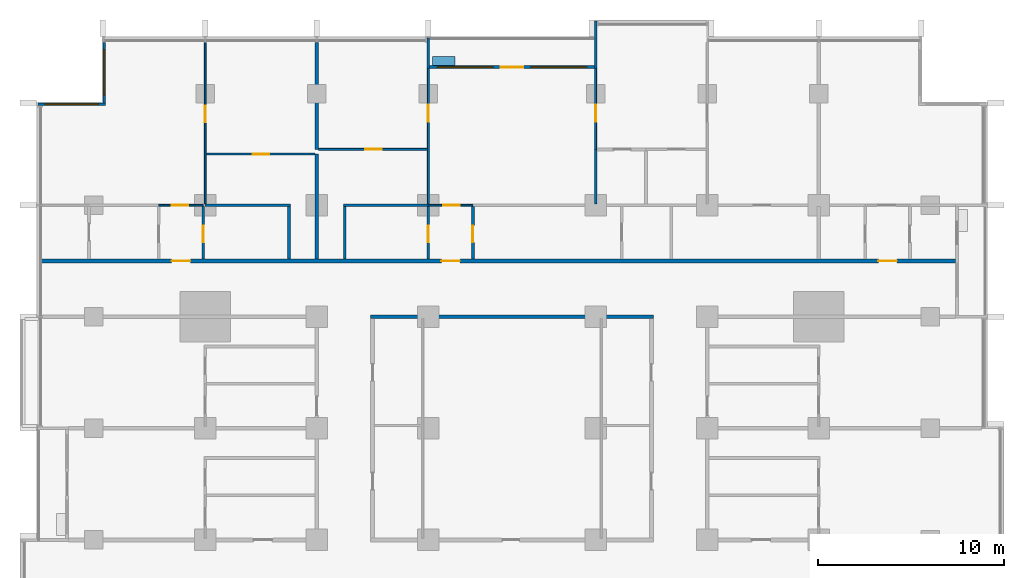
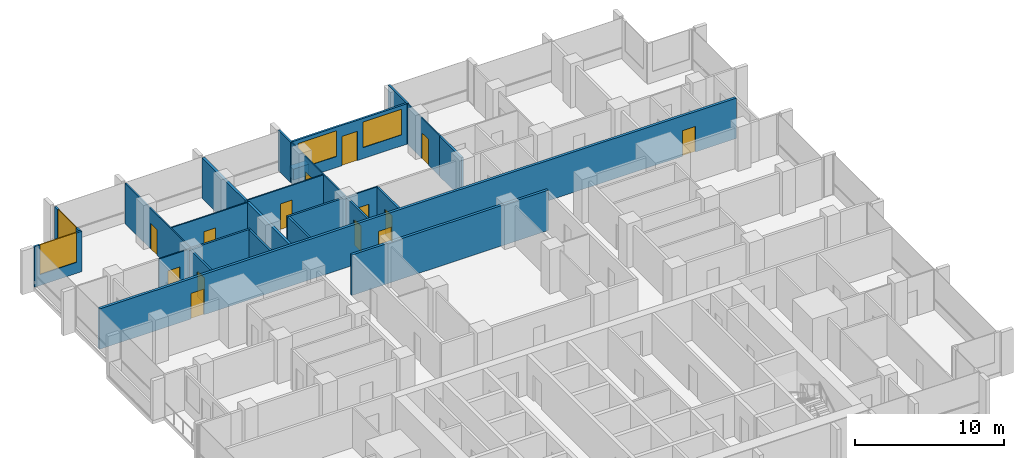
# One storey, part 11 of 17: 25 walls, 14 doors, 4 windows, 18 openings.
"""IFC4 building model written with IfcOpenShell, lengths in metres."""

import ifcopenshell
import ifcopenshell.guid

model = None  # the IFC model being written
_history = None  # IfcOwnerHistory: only IFC2X3 demands one
_inside = {}  # id of a spatial element -> (the spatial element, [elements in it])
_under = {}  # id of a project, library or spatial element -> (it, [spatial elements below it])
_declared = {}  # id of a project -> (the project, [libraries it declares])
_typed = {}  # id of a type object -> (the type object, [elements of that type])
_made_of = {}  # id of a material, layer set ... -> (it, [elements and type objects made of it])


def new_model(schema):
    """Start an empty IFC model of exactly this schema.

    Asked for "IFC4X3", IfcOpenShell would pick the latest addendum, in which some entities
    have other attributes; the version numbers below select the first issue.
    IFC2X3 requires an IfcOwnerHistory on every rooted entity: one is made here for all.
    """
    global model, _history
    if schema == "IFC4X3":
        model = ifcopenshell.file(schema_version=(4, 3, 0, 0))
    else:
        model = ifcopenshell.file(schema=schema)
    _inside.clear()
    _under.clear()
    _declared.clear()
    _typed.clear()
    _made_of.clear()
    _history = None
    if model.schema == "IFC2X3":
        org = make("IfcOrganization", Name="unknown")
        user = make(
            "IfcPersonAndOrganization",
            ThePerson=make("IfcPerson", FamilyName="unknown"),
            TheOrganization=org,
        )
        app = make(
            "IfcApplication",
            ApplicationDeveloper=org,
            Version="unknown",
            ApplicationFullName="unknown",
            ApplicationIdentifier="unknown",
        )
        _history = make(
            "IfcOwnerHistory",
            OwningUser=user,
            OwningApplication=app,
            ChangeAction="ADDED",
            CreationDate=0,
        )
    return model


def make(cls, **values):
    """One entity of the class cls with the attributes given. An attribute that is None is left unset."""
    return model.create_entity(
        cls, **{name: value for name, value in values.items() if value is not None}
    )


def rooted(cls, **values):
    """An entity with a GlobalId (a new one), such as an element, a storey or a relation."""
    return make(cls, GlobalId=ifcopenshell.guid.new(), OwnerHistory=_history, **values)


def si_unit(unit_type, name, prefix=None):
    """IfcSIUnit, for example si_unit("LENGTHUNIT", "METRE", prefix="MILLI")."""
    return make("IfcSIUnit", UnitType=unit_type, Prefix=prefix, Name=name)


def assignment(units):
    """IfcUnitAssignment: the units of a project."""
    return None if units is None else make("IfcUnitAssignment", Units=units)


def point(xyz):
    """IfcCartesianPoint."""
    return None if xyz is None else make("IfcCartesianPoint", Coordinates=xyz)


def direction(xyz):
    """IfcDirection."""
    return None if xyz is None else make("IfcDirection", DirectionRatios=xyz)


def frame(location, z_axis=None, x_axis=None):
    """IfcAxis2Placement3D, a coordinate frame: its origin and axes. An axis left out is left unset."""
    return make(
        "IfcAxis2Placement3D",
        Location=point(location),
        Axis=direction(z_axis),
        RefDirection=direction(x_axis),
    )


def frame_2d(location, x_axis=None):
    """IfcAxis2Placement2D, a coordinate frame in the plane: its origin and x axis."""
    return make(
        "IfcAxis2Placement2D", Location=point(location), RefDirection=direction(x_axis)
    )


def origin():
    """The frame at (0, 0, 0) with its axes left unset."""
    return frame((0.0, 0.0, 0.0))


def place(relative_to, where):
    """IfcLocalPlacement: puts the frame where relative to a parent placement (None: the world)."""
    return make(
        "IfcLocalPlacement", PlacementRelTo=relative_to, RelativePlacement=where
    )


def context(
    kind, dimensions, precision=None, world=None, true_north=None, identifier=None
):
    """IfcGeometricRepresentationContext, for example the 3D "Model" context."""
    return make(
        "IfcGeometricRepresentationContext",
        ContextIdentifier=identifier,
        ContextType=kind,
        CoordinateSpaceDimension=dimensions,
        Precision=precision,
        WorldCoordinateSystem=world,
        TrueNorth=true_north,
    )


def subcontext(parent, identifier, kind, view, scale=None):
    """IfcGeometricRepresentationSubContext, for example "Body" below "Model"."""
    return make(
        "IfcGeometricRepresentationSubContext",
        ContextIdentifier=identifier,
        ContextType=kind,
        ParentContext=parent,
        TargetScale=scale,
        TargetView=view,
    )


def project(units=None, contexts=None):
    """IfcProject with its units and contexts."""
    return rooted(
        "IfcProject",
        Name="project",
        RepresentationContexts=contexts,
        UnitsInContext=assignment(units),
    )


def spatial(cls, under=None, at=None, **own):
    """A site, building, storey or space (cls), placed at a placement, below another one or the project."""
    s = rooted(cls, ObjectPlacement=at, **own)
    if under is not None:
        _under.setdefault(under.id(), (under, []))[1].append(s)
    return s


def profile(cls, at=None, kind="AREA", **sizes):
    """A parametric profile (cls). Its sizes go by their IFC names, for example OverallWidth=200.0."""
    return make(cls, ProfileType=kind, Position=at, **sizes)


def rectangle(**sizes):
    """IfcRectangleProfileDef."""
    return profile("IfcRectangleProfileDef", **sizes)


def extrude(swept, where, along, depth):
    """IfcExtrudedAreaSolid: the profile swept, set in the frame where, extruded along a direction by depth."""
    return make(
        "IfcExtrudedAreaSolid",
        SweptArea=swept,
        Position=where,
        ExtrudedDirection=direction(along),
        Depth=depth,
    )


def shape(context_of_items, identifier, shape_type, items):
    """IfcShapeRepresentation: the items that make up one representation, for example the "Body"."""
    return make(
        "IfcShapeRepresentation",
        ContextOfItems=context_of_items,
        RepresentationIdentifier=identifier,
        RepresentationType=shape_type,
        Items=items,
    )


def material(Name=None, Category=None):
    """IfcMaterial."""
    return make("IfcMaterial", Name=Name, Category=Category)


def layer(
    of_material, thickness, ventilated=None, Name=None, Category=None, Priority=None
):
    """IfcMaterialLayer: one layer of a wall or slab, of a material (None: an air gap)."""
    return make(
        "IfcMaterialLayer",
        Material=of_material,
        LayerThickness=thickness,
        IsVentilated=ventilated,
        Name=Name,
        Category=Category,
        Priority=Priority,
    )


def layer_set(layers, Name=None):
    """IfcMaterialLayerSet."""
    return make("IfcMaterialLayerSet", MaterialLayers=layers, LayerSetName=Name)


def made_of(thing, what):
    """Note that an element or type object is made of a material, layer set ...; save() writes the relation."""
    if what is not None:
        _made_of.setdefault(what.id(), (what, []))[1].append(thing)
    return thing


def type_object(cls, material=None, **own):
    """A type object (cls), such as IfcWallType, which elements share."""
    return made_of(rooted(cls, **own), material)


def element(
    cls,
    number,
    at=None,
    inside=None,
    cuts=None,
    type_object=None,
    material=None,
    context=None,
    identifier="Body",
    shape_type=None,
    held_by="IfcProductDefinitionShape",
    body=None,
    shapes=None,
    **own,
):
    """One element of the class cls, such as IfcWall. Its Tag is "e" and its number.

    at: its placement. inside: the storey or other place that contains it. cuts: it is an
    opening in that element (IfcRelVoidsElement). A single representation is given by context,
    identifier, shape_type and body (its items); several are given by shapes. held_by: the class
    of the entity that holds the representations. save() writes the other relations.
    """
    e = rooted(cls, Tag="e%d" % number, ObjectPlacement=at, **own)
    if body is not None:
        shapes = [shape(context, identifier, shape_type, body)]
    if shapes is not None:
        e.Representation = make(held_by, Representations=shapes)
    if inside is not None:
        _inside.setdefault(inside.id(), (inside, []))[1].append(e)
    if cuts is not None:
        rooted(
            "IfcRelVoidsElement", RelatingBuildingElement=cuts, RelatedOpeningElement=e
        )
    if type_object is not None:
        _typed.setdefault(type_object.id(), (type_object, []))[1].append(e)
    return made_of(e, material)


def fill(opening, filler):
    """IfcRelFillsElement: the door or window that sits in an opening."""
    return rooted(
        "IfcRelFillsElement",
        RelatingOpeningElement=opening,
        RelatedBuildingElement=filler,
    )


def aggregate(whole, parts):
    """IfcRelAggregates: a whole, such as a stair, and the parts it consists of."""
    return rooted("IfcRelAggregates", RelatingObject=whole, RelatedObjects=parts)


def save(model, path):
    """Write the relations noted so far, then the file.

    IfcRelAggregates (storeys below a building ...), IfcRelContainedInSpatialStructure (elements
    in a storey), IfcRelDefinesByType, IfcRelAssociatesMaterial and IfcRelDeclares: one each for
    every whole, place, type object, material and project.
    """
    for whole, parts in _under.values():
        aggregate(whole, parts)
    for where, things in _inside.values():
        rooted(
            "IfcRelContainedInSpatialStructure",
            RelatedElements=things,
            RelatingStructure=where,
        )
    for kind, things in _typed.values():
        rooted("IfcRelDefinesByType", RelatedObjects=things, RelatingType=kind)
    for what, things in _made_of.values():
        rooted("IfcRelAssociatesMaterial", RelatedObjects=things, RelatingMaterial=what)
    for by, libraries in _declared.values():
        rooted("IfcRelDeclares", RelatingContext=by, RelatedDefinitions=libraries)
    model.write(path)


model = new_model("IFC4")

# Units and contexts
model_context = context("Model", 3, precision=1e-05, world=origin(), true_north=direction((0.0, 1.0)))
body_context = subcontext(model_context, "Body", "Model", "MODEL_VIEW")
ifc_project = project(units=[si_unit("LENGTHUNIT", "METRE"), si_unit("AREAUNIT", "SQUARE_METRE"), si_unit("VOLUMEUNIT", "CUBIC_METRE"), si_unit("PLANEANGLEUNIT", "RADIAN"), si_unit("MASSUNIT", "GRAM", prefix="KILO")], contexts=[model_context])

# Site, building, storey
site_placement = place(None, origin())
site = spatial("IfcSite", under=ifc_project, at=site_placement, CompositionType="ELEMENT")
building_placement = place(site_placement, origin())
building = spatial("IfcBuilding", under=site, at=building_placement, Name="Finial Court Residences", CompositionType="ELEMENT")
storey_placement = place(building_placement, frame((0.0, 0.0, 99.10009765625)))
storey = spatial("IfcBuildingStorey", under=building, at=storey_placement, Name="L24", CompositionType="ELEMENT", Elevation=99.10009765625)

# Walls
ifc_material_1 = material(Name="Gypsum board")
ifc_layer_1 = layer(ifc_material_1, 0.02490234375)
ifc_material_2 = material(Name="Acoustic mineral wool in double frame")
ifc_layer_2 = layer(ifc_material_2, 0.14990234375)
ifc_layer_3 = layer(ifc_material_1, 0.02490234375)
ifc_layer_set_1 = layer_set([ifc_layer_1, ifc_layer_2, ifc_layer_3], Name="Acoustic party wall 200, 1 hour")
wall_type_1 = type_object("IfcWallType", Name="Acoustic party wall 200, 1 hour", PredefinedType="PARTITIONING", material=ifc_layer_set_1)
wall_1_placement = place(storey_placement, frame((-10.5, 10.60009765625, 0.0), z_axis=(0.0, 0.0, 1.0), x_axis=(0.0, 1.0, 0.0)))
element("IfcWall", 1, at=wall_1_placement, inside=storey, type_object=wall_type_1, Name="Partition L24-054", PredefinedType="PARTITIONING", context=body_context, shape_type="SweptSolid", body=[
    extrude(rectangle(XDim=5.64990234375, YDim=0.199951171875, at=frame_2d((2.824951171875, 0.0))), origin(), (0.0, 0.0, 1.0), 3.2998046875),
])
wall_2_placement = place(storey_placement, frame((-10.5, 16.5, 0.0), z_axis=(0.0, 0.0, 1.0), x_axis=(0.0, 1.0, 0.0)))
element("IfcWall", 2, at=wall_2_placement, inside=storey, type_object=wall_type_1, Name="Partition L24-055", PredefinedType="PARTITIONING", context=body_context, shape_type="SweptSolid", body=[
    extrude(rectangle(XDim=5.75, YDim=0.199951171875, at=frame_2d((2.875, 0.0))), origin(), (0.0, 0.0, 1.0), 3.2998046875),
])
ifc_layer_4 = layer(ifc_material_1, 0.02490234375)
ifc_layer_5 = layer(ifc_material_2, 0.14990234375)
ifc_layer_6 = layer(ifc_material_1, 0.02490234375)
ifc_layer_set_2 = layer_set([ifc_layer_4, ifc_layer_5, ifc_layer_6], Name="Corridor wall 200, 1 hour")
wall_type_2 = type_object("IfcWallType", Name="Corridor wall 200, 1 hour", PredefinedType="PARTITIONING", material=ifc_layer_set_2)
wall_3_placement = place(storey_placement, frame((-7.60009765625, 7.5, 0.0), z_axis=(0.0, 0.0, 1.0), x_axis=(1.0, 0.0, 0.0)))
element("IfcWall", 3, at=wall_3_placement, inside=storey, type_object=wall_type_2, Name="Partition L24-025", PredefinedType="PARTITIONING", context=body_context, shape_type="SweptSolid", body=[
    extrude(rectangle(XDim=15.2001953125, YDim=0.199951171875, at=frame_2d((7.60009765625, 0.0))), origin(), (0.0, 0.0, 1.0), 3.2998046875),
])

# Wall, openings, doors
wall_4_placement = place(storey_placement, frame((-25.35009765625, 10.5, 0.0), z_axis=(0.0, 0.0, 1.0), x_axis=(1.0, 0.0, 0.0)))
wall_4 = element("IfcWall", 4, at=wall_4_placement, inside=storey, type_object=wall_type_2, Name="Partition L24-027", PredefinedType="PARTITIONING", context=body_context, shape_type="SweptSolid", body=[
    extrude(rectangle(XDim=49.2001953125, YDim=0.199951171875, at=frame_2d((24.60009765625, 0.0))), origin(), (0.0, 0.0, 1.0), 3.2998046875),
])
opening_1_placement = place(wall_4_placement, frame((7.050048828125, 0.0, 0.0)))
opening_1 = element("IfcOpeningElement", 5, at=opening_1_placement, cuts=wall_4, Name="Opening L24-D010", PredefinedType="OPENING", context=body_context, shape_type="SweptSolid", body=[
    extrude(rectangle(XDim=1.0, YDim=2.10009765625, at=frame_2d((0.5, 1.050048828125))), frame((0.0, 0.10986328125, 0.0), z_axis=(0.0, -1.0, 0.0), x_axis=(1.0, 0.0, 0.0)), (0.0, 0.0, 1.0), 0.219970703125),
])
opening_2_placement = place(wall_4_placement, frame((21.550048828125, 0.0, 0.0)))
opening_2 = element("IfcOpeningElement", 6, at=opening_2_placement, cuts=wall_4, Name="Opening L24-D011", PredefinedType="OPENING", context=body_context, shape_type="SweptSolid", body=[
    extrude(rectangle(XDim=1.0, YDim=2.10009765625, at=frame_2d((0.5, 1.050048828125))), frame((0.0, 0.10986328125, 0.0), z_axis=(0.0, -1.0, 0.0), x_axis=(1.0, 0.0, 0.0)), (0.0, 0.0, 1.0), 0.219970703125),
])
opening_3_placement = place(wall_4_placement, frame((45.050048828125, 0.0, 0.0)))
opening_3 = element("IfcOpeningElement", 7, at=opening_3_placement, cuts=wall_4, Name="Opening L24-D012", PredefinedType="OPENING", context=body_context, shape_type="SweptSolid", body=[
    extrude(rectangle(XDim=1.0, YDim=2.10009765625, at=frame_2d((0.5, 1.050048828125))), frame((0.0, 0.10986328125, 0.0), z_axis=(0.0, -1.0, 0.0), x_axis=(1.0, 0.0, 0.0)), (0.0, 0.0, 1.0), 0.219970703125),
])
ifc_material_3 = material(Name="Timber door leaf in hollow metal frame", Category="wood")
door_type_1 = type_object("IfcDoorType", Name="Fire door set 1000 x 2100, 30 minutes", OperationType="SINGLE_SWING_LEFT", PredefinedType="DOOR", material=ifc_material_3)
door_1_placement = place(opening_1_placement, origin())
door_1 = element("IfcDoor", 8, at=door_1_placement, inside=storey, type_object=door_type_1, Name="Door L24-D010", OperationType="SINGLE_SWING_RIGHT", OverallHeight=2.10009765625, OverallWidth=1.0, PredefinedType="DOOR", context=body_context, shape_type="SweptSolid", body=[
    extrude(rectangle(XDim=1.0, YDim=2.10009765625, at=frame_2d((0.5, 1.050048828125))), frame((0.0, 0.02490234375, 0.0), z_axis=(0.0, -1.0, 0.0), x_axis=(1.0, 0.0, 0.0)), (0.0, 0.0, 1.0), 0.050048828125),
])
fill(opening_1, door_1)
door_2_placement = place(opening_2_placement, origin())
door_2 = element("IfcDoor", 9, at=door_2_placement, inside=storey, type_object=door_type_1, Name="Door L24-D011", OperationType="SINGLE_SWING_RIGHT", OverallHeight=2.10009765625, OverallWidth=1.0, PredefinedType="DOOR", context=body_context, shape_type="SweptSolid", body=[
    extrude(rectangle(XDim=1.0, YDim=2.10009765625, at=frame_2d((0.5, 1.050048828125))), frame((0.0, 0.02490234375, 0.0), z_axis=(0.0, -1.0, 0.0), x_axis=(1.0, 0.0, 0.0)), (0.0, 0.0, 1.0), 0.050048828125),
])
fill(opening_2, door_2)
door_3_placement = place(opening_3_placement, origin())
door_3 = element("IfcDoor", 10, at=door_3_placement, inside=storey, type_object=door_type_1, Name="Door L24-D012", OperationType="SINGLE_SWING_LEFT", OverallHeight=2.10009765625, OverallWidth=1.0, PredefinedType="DOOR", context=body_context, shape_type="SweptSolid", body=[
    extrude(rectangle(XDim=1.0, YDim=2.10009765625, at=frame_2d((0.5, 1.050048828125))), frame((0.0, 0.02490234375, 0.0), z_axis=(0.0, -1.0, 0.0), x_axis=(1.0, 0.0, 0.0)), (0.0, 0.0, 1.0), 0.050048828125),
])
fill(opening_3, door_3)

# Wall, opening, door
ifc_layer_7 = layer(ifc_material_1, 0.012451171875)
ifc_material_4 = material(Name="Mineral wool in light-gauge frame")
ifc_layer_8 = layer(ifc_material_4, 0.074951171875)
ifc_layer_9 = layer(ifc_material_1, 0.012451171875)
ifc_layer_set_3 = layer_set([ifc_layer_7, ifc_layer_8, ifc_layer_9], Name="Gypsum board partition 100")
wall_type_3 = type_object("IfcWallType", Name="Gypsum board partition 100", PredefinedType="PARTITIONING", material=ifc_layer_set_3)
wall_5_placement = place(storey_placement, frame((-19.0, 13.5, 0.0), z_axis=(0.0, 0.0, 1.0), x_axis=(1.0, 0.0, 0.0)))
wall_5 = element("IfcWall", 11, at=wall_5_placement, inside=storey, type_object=wall_type_3, Name="Partition L24-029", PredefinedType="PARTITIONING", context=body_context, shape_type="SweptSolid", body=[
    extrude(rectangle(XDim=2.39990234375, YDim=0.10009765625, at=frame_2d((1.199951171875, 0.0))), origin(), (0.0, 0.0, 1.0), 3.2998046875),
])
opening_4_placement = place(wall_5_placement, frame((0.699951171875, 0.0, 0.0)))
opening_4 = element("IfcOpeningElement", 12, at=opening_4_placement, cuts=wall_5, Name="Opening L24-D013", PredefinedType="OPENING", context=body_context, shape_type="SweptSolid", body=[
    extrude(rectangle(XDim=0.89990234375, YDim=2.10009765625, at=frame_2d((0.449951171875, 1.050048828125))), frame((0.0, 0.06005859375, 0.0), z_axis=(0.0, -1.0, 0.0), x_axis=(1.0, 0.0, 0.0)), (0.0, 0.0, 1.0), 0.1201171875),
])
ifc_material_5 = material(Name="Timber door leaf in timber frame", Category="wood")
door_type_2 = type_object("IfcDoorType", Name="Door set 900 x 2100", OperationType="SINGLE_SWING_LEFT", PredefinedType="DOOR", material=ifc_material_5)
door_4_placement = place(opening_4_placement, origin())
door_4 = element("IfcDoor", 13, at=door_4_placement, inside=storey, type_object=door_type_2, Name="Door L24-D013", OperationType="SINGLE_SWING_RIGHT", OverallHeight=2.10009765625, OverallWidth=0.89990234375, PredefinedType="DOOR", context=body_context, shape_type="SweptSolid", body=[
    extrude(rectangle(XDim=0.89990234375, YDim=2.10009765625, at=frame_2d((0.449951171875, 1.050048828125))), frame((0.0, 0.02490234375, 0.0), z_axis=(0.0, -1.0, 0.0), x_axis=(1.0, 0.0, 0.0)), (0.0, 0.0, 1.0), 0.050048828125),
])
fill(opening_4, door_4)

wall_6_placement = place(storey_placement, frame((-4.5, 13.5, 0.0), z_axis=(0.0, 0.0, 1.0), x_axis=(1.0, 0.0, 0.0)))
wall_6 = element("IfcWall", 14, at=wall_6_placement, inside=storey, type_object=wall_type_3, Name="Partition L24-030", PredefinedType="PARTITIONING", context=body_context, shape_type="SweptSolid", body=[
    extrude(rectangle(XDim=2.39990234375, YDim=0.10009765625, at=frame_2d((1.199951171875, 0.0))), origin(), (0.0, 0.0, 1.0), 3.2998046875),
])
opening_5_placement = place(wall_6_placement, frame((0.800048828125, 0.0, 0.0)))
opening_5 = element("IfcOpeningElement", 15, at=opening_5_placement, cuts=wall_6, Name="Opening L24-D014", PredefinedType="OPENING", context=body_context, shape_type="SweptSolid", body=[
    extrude(rectangle(XDim=0.89990234375, YDim=2.10009765625, at=frame_2d((0.449951171875, 1.050048828125))), frame((0.0, 0.06005859375, 0.0), z_axis=(0.0, -1.0, 0.0), x_axis=(1.0, 0.0, 0.0)), (0.0, 0.0, 1.0), 0.1201171875),
])
door_5_placement = place(opening_5_placement, origin())
door_5 = element("IfcDoor", 16, at=door_5_placement, inside=storey, type_object=door_type_2, Name="Door L24-D014", OperationType="SINGLE_SWING_LEFT", OverallHeight=2.10009765625, OverallWidth=0.89990234375, PredefinedType="DOOR", context=body_context, shape_type="SweptSolid", body=[
    extrude(rectangle(XDim=0.89990234375, YDim=2.10009765625, at=frame_2d((0.449951171875, 1.050048828125))), frame((0.0, 0.02490234375, 0.0), z_axis=(0.0, -1.0, 0.0), x_axis=(1.0, 0.0, 0.0)), (0.0, 0.0, 1.0), 0.050048828125),
])
fill(opening_5, door_5)

wall_7_placement = place(storey_placement, frame((-16.449951171875, 16.25, 0.0), z_axis=(0.0, 0.0, 1.0), x_axis=(1.0, 0.0, 0.0)))
wall_7 = element("IfcWall", 17, at=wall_7_placement, inside=storey, type_object=wall_type_3, Name="Partition L24-037", PredefinedType="PARTITIONING", context=body_context, shape_type="SweptSolid", body=[
    extrude(rectangle(XDim=5.849853515625, YDim=0.10009765625, at=frame_2d((2.9248046875, 0.0))), origin(), (0.0, 0.0, 1.0), 3.2998046875),
])
opening_6_placement = place(wall_7_placement, frame((2.5, 0.0, 0.0)))
opening_6 = element("IfcOpeningElement", 18, at=opening_6_placement, cuts=wall_7, Name="Opening L24-D017", PredefinedType="OPENING", context=body_context, shape_type="SweptSolid", body=[
    extrude(rectangle(XDim=0.89990234375, YDim=2.10009765625, at=frame_2d((0.449951171875, 1.050048828125))), frame((0.0, 0.06005859375, 0.0), z_axis=(0.0, -1.0, 0.0), x_axis=(1.0, 0.0, 0.0)), (0.0, 0.0, 1.0), 0.1201171875),
])
door_6_placement = place(opening_6_placement, origin())
door_6 = element("IfcDoor", 19, at=door_6_placement, inside=storey, type_object=door_type_2, Name="Door L24-D017", OperationType="SINGLE_SWING_RIGHT", OverallHeight=2.10009765625, OverallWidth=0.89990234375, PredefinedType="DOOR", context=body_context, shape_type="SweptSolid", body=[
    extrude(rectangle(XDim=0.89990234375, YDim=2.10009765625, at=frame_2d((0.449951171875, 1.050048828125))), frame((0.0, 0.02490234375, 0.0), z_axis=(0.0, -1.0, 0.0), x_axis=(1.0, 0.0, 0.0)), (0.0, 0.0, 1.0), 0.050048828125),
])
fill(opening_6, door_6)

wall_8_placement = place(storey_placement, frame((-10.39990234375, 16.5, 0.0), z_axis=(0.0, 0.0, 1.0), x_axis=(1.0, 0.0, 0.0)))
wall_8 = element("IfcWall", 20, at=wall_8_placement, inside=storey, type_object=wall_type_3, Name="Partition L24-038", PredefinedType="PARTITIONING", context=body_context, shape_type="SweptSolid", body=[
    extrude(rectangle(XDim=5.849853515625, YDim=0.10009765625, at=frame_2d((2.9248046875, 0.0))), origin(), (0.0, 0.0, 1.0), 3.2998046875),
])
opening_7_placement = place(wall_8_placement, frame((2.5, 0.0, 0.0)))
opening_7 = element("IfcOpeningElement", 21, at=opening_7_placement, cuts=wall_8, Name="Opening L24-D018", PredefinedType="OPENING", context=body_context, shape_type="SweptSolid", body=[
    extrude(rectangle(XDim=0.89990234375, YDim=2.10009765625, at=frame_2d((0.449951171875, 1.050048828125))), frame((0.0, 0.06005859375, 0.0), z_axis=(0.0, -1.0, 0.0), x_axis=(1.0, 0.0, 0.0)), (0.0, 0.0, 1.0), 0.1201171875),
])
door_7_placement = place(opening_7_placement, origin())
door_7 = element("IfcDoor", 22, at=door_7_placement, inside=storey, type_object=door_type_2, Name="Door L24-D018", OperationType="SINGLE_SWING_LEFT", OverallHeight=2.10009765625, OverallWidth=0.89990234375, PredefinedType="DOOR", context=body_context, shape_type="SweptSolid", body=[
    extrude(rectangle(XDim=0.89990234375, YDim=2.10009765625, at=frame_2d((0.449951171875, 1.050048828125))), frame((0.0, 0.02490234375, 0.0), z_axis=(0.0, -1.0, 0.0), x_axis=(1.0, 0.0, 0.0)), (0.0, 0.0, 1.0), 0.050048828125),
])
fill(opening_7, door_7)

wall_9_placement = place(storey_placement, frame((-16.5, 13.574951171875, 0.0), z_axis=(0.0, 0.0, 1.0), x_axis=(0.0, 1.0, 0.0)))
wall_9 = element("IfcWall", 23, at=wall_9_placement, inside=storey, type_object=wall_type_3, Name="Partition L24-047", PredefinedType="PARTITIONING", context=body_context, shape_type="SweptSolid", body=[
    extrude(rectangle(XDim=8.675048828125, YDim=0.10009765625, at=frame_2d((4.33740234375, 0.0))), origin(), (0.0, 0.0, 1.0), 3.2998046875),
])
opening_8_placement = place(wall_9_placement, frame((4.375, 0.0, 0.0)))
opening_8 = element("IfcOpeningElement", 24, at=opening_8_placement, cuts=wall_9, Name="Opening L24-D027", PredefinedType="OPENING", context=body_context, shape_type="SweptSolid", body=[
    extrude(rectangle(XDim=0.89990234375, YDim=2.10009765625, at=frame_2d((0.449951171875, 1.050048828125))), frame((0.0, 0.06005859375, 0.0), z_axis=(0.0, -1.0, 0.0), x_axis=(1.0, 0.0, 0.0)), (0.0, 0.0, 1.0), 0.1201171875),
])
door_8_placement = place(opening_8_placement, origin())
door_8 = element("IfcDoor", 25, at=door_8_placement, inside=storey, type_object=door_type_2, Name="Door L24-D027", OperationType="SINGLE_SWING_RIGHT", OverallHeight=2.10009765625, OverallWidth=0.89990234375, PredefinedType="DOOR", context=body_context, shape_type="SweptSolid", body=[
    extrude(rectangle(XDim=0.89990234375, YDim=2.10009765625, at=frame_2d((0.449951171875, 1.050048828125))), frame((0.0, 0.02490234375, 0.0), z_axis=(0.0, -1.0, 0.0), x_axis=(1.0, 0.0, 0.0)), (0.0, 0.0, 1.0), 0.050048828125),
])
fill(opening_8, door_8)

wall_10_placement = place(storey_placement, frame((-4.5, 13.574951171875, 0.0), z_axis=(0.0, 0.0, 1.0), x_axis=(0.0, 1.0, 0.0)))
wall_10 = element("IfcWall", 26, at=wall_10_placement, inside=storey, type_object=wall_type_3, Name="Partition L24-059", PredefinedType="PARTITIONING", context=body_context, shape_type="SweptSolid", body=[
    extrude(rectangle(XDim=7.275146484375, YDim=0.10009765625, at=frame_2d((3.6376953125, 0.0))), origin(), (0.0, 0.0, 1.0), 3.2998046875),
])
opening_9_placement = place(wall_10_placement, frame((4.425048828125, 0.0, 0.0)))
opening_9 = element("IfcOpeningElement", 27, at=opening_9_placement, cuts=wall_10, Name="Opening L24-D034", PredefinedType="OPENING", context=body_context, shape_type="SweptSolid", body=[
    extrude(rectangle(XDim=0.89990234375, YDim=2.10009765625, at=frame_2d((0.449951171875, 1.050048828125))), frame((0.0, 0.06005859375, 0.0), z_axis=(0.0, -1.0, 0.0), x_axis=(1.0, 0.0, 0.0)), (0.0, 0.0, 1.0), 0.1201171875),
])
door_9_placement = place(opening_9_placement, origin())
door_9 = element("IfcDoor", 28, at=door_9_placement, inside=storey, type_object=door_type_2, Name="Door L24-D034", OperationType="SINGLE_SWING_LEFT", OverallHeight=2.10009765625, OverallWidth=0.89990234375, PredefinedType="DOOR", context=body_context, shape_type="SweptSolid", body=[
    extrude(rectangle(XDim=0.89990234375, YDim=2.10009765625, at=frame_2d((0.449951171875, 1.050048828125))), frame((0.0, 0.02490234375, 0.0), z_axis=(0.0, -1.0, 0.0), x_axis=(1.0, 0.0, 0.0)), (0.0, 0.0, 1.0), 0.050048828125),
])
fill(opening_9, door_9)

wall_11_placement = place(storey_placement, frame((4.5, 16.5, 0.0), z_axis=(0.0, 0.0, 1.0), x_axis=(0.0, 1.0, 0.0)))
wall_11 = element("IfcWall", 29, at=wall_11_placement, inside=storey, type_object=wall_type_3, Name="Partition L24-062", PredefinedType="PARTITIONING", context=body_context, shape_type="SweptSolid", body=[
    extrude(rectangle(XDim=4.35009765625, YDim=0.10009765625, at=frame_2d((2.175048828125, 0.0))), origin(), (0.0, 0.0, 1.0), 3.2998046875),
])
opening_10_placement = place(wall_11_placement, frame((1.5, 0.0, 0.0)))
opening_10 = element("IfcOpeningElement", 30, at=opening_10_placement, cuts=wall_11, Name="Opening L24-D037", PredefinedType="OPENING", context=body_context, shape_type="SweptSolid", body=[
    extrude(rectangle(XDim=0.89990234375, YDim=2.10009765625, at=frame_2d((0.449951171875, 1.050048828125))), frame((0.0, 0.06005859375, 0.0), z_axis=(0.0, -1.0, 0.0), x_axis=(1.0, 0.0, 0.0)), (0.0, 0.0, 1.0), 0.1201171875),
])
door_10_placement = place(opening_10_placement, origin())
door_10 = element("IfcDoor", 31, at=door_10_placement, inside=storey, type_object=door_type_2, Name="Door L24-D037", OperationType="SINGLE_SWING_LEFT", OverallHeight=2.10009765625, OverallWidth=0.89990234375, PredefinedType="DOOR", context=body_context, shape_type="SweptSolid", body=[
    extrude(rectangle(XDim=0.89990234375, YDim=2.10009765625, at=frame_2d((0.449951171875, 1.050048828125))), frame((0.0, 0.02490234375, 0.0), z_axis=(0.0, -1.0, 0.0), x_axis=(1.0, 0.0, 0.0)), (0.0, 0.0, 1.0), 0.050048828125),
])
fill(opening_10, door_10)

# Walls
ifc_material_6 = material(Name="Moisture-resistant gypsum board")
ifc_layer_10 = layer(ifc_material_6, 0.012451171875)
ifc_layer_11 = layer(ifc_material_4, 0.125)
ifc_layer_12 = layer(ifc_material_6, 0.012451171875)
ifc_layer_set_4 = layer_set([ifc_layer_10, ifc_layer_11, ifc_layer_12], Name="Gypsum board wet-area partition 150")
wall_type_4 = type_object("IfcWallType", Name="Gypsum board wet-area partition 150", PredefinedType="PARTITIONING", material=ifc_layer_set_4)
for number, where, z_axis, x_axis, name in (
    (32, (-16.5, 13.5, 0.0), (0.0, 0.0, 1.0), (1.0, 0.0, 0.0), "Partition L24-033"),
    (33, (-9.074951171875, 13.5, 0.0), (0.0, 0.0, 1.0), (1.0, 0.0, 0.0), "Partition L24-034"),
):
    element("IfcWall", number, at=place(storey_placement, frame(where, z_axis=z_axis, x_axis=x_axis)), inside=storey, type_object=wall_type_4, Name=name, PredefinedType="PARTITIONING", context=body_context, shape_type="SweptSolid", body=[
        extrude(rectangle(XDim=4.574951171875, YDim=0.14990234375, at=frame_2d((2.28759765625, 0.0))), origin(), (0.0, 0.0, 1.0), 3.2998046875),
    ])

# Wall, opening, door
wall_12_placement = place(storey_placement, frame((-16.60009765625, 10.60009765625, 0.0), z_axis=(0.0, 0.0, 1.0), x_axis=(0.0, 1.0, 0.0)))
wall_12 = element("IfcWall", 34, at=wall_12_placement, inside=storey, type_object=wall_type_4, Name="Partition L24-044", PredefinedType="PARTITIONING", context=body_context, shape_type="SweptSolid", body=[
    extrude(rectangle(XDim=2.824951171875, YDim=0.14990234375, at=frame_2d((1.41259765625, 0.0))), origin(), (0.0, 0.0, 1.0), 3.2998046875),
])
opening_11_placement = place(wall_12_placement, frame((0.89990234375, 0.0, 0.0)))
opening_11 = element("IfcOpeningElement", 35, at=opening_11_placement, cuts=wall_12, Name="Opening L24-D024", PredefinedType="OPENING", context=body_context, shape_type="SweptSolid", body=[
    extrude(rectangle(XDim=0.89990234375, YDim=2.10009765625, at=frame_2d((0.449951171875, 1.050048828125))), frame((0.0, 0.0849609375, 0.0), z_axis=(0.0, -1.0, 0.0), x_axis=(1.0, 0.0, 0.0)), (0.0, 0.0, 1.0), 0.169921875),
])
door_11_placement = place(opening_11_placement, origin())
door_11 = element("IfcDoor", 36, at=door_11_placement, inside=storey, type_object=door_type_2, Name="Door L24-D024", OperationType="SINGLE_SWING_RIGHT", OverallHeight=2.10009765625, OverallWidth=0.89990234375, PredefinedType="DOOR", context=body_context, shape_type="SweptSolid", body=[
    extrude(rectangle(XDim=0.89990234375, YDim=2.10009765625, at=frame_2d((0.449951171875, 1.050048828125))), frame((0.0, 0.02490234375, 0.0), z_axis=(0.0, -1.0, 0.0), x_axis=(1.0, 0.0, 0.0)), (0.0, 0.0, 1.0), 0.050048828125),
])
fill(opening_11, door_11)

# Walls
for number, where, z_axis, x_axis, name in (
    (37, (-12.0, 10.60009765625, 0.0), (0.0, 0.0, 1.0), (0.0, 1.0, 0.0), "Partition L24-052"),
    (38, (-9.0, 10.60009765625, 0.0), (0.0, 0.0, 1.0), (0.0, 1.0, 0.0), "Partition L24-056"),
):
    element("IfcWall", number, at=place(storey_placement, frame(where, z_axis=z_axis, x_axis=x_axis)), inside=storey, type_object=wall_type_4, Name=name, PredefinedType="PARTITIONING", context=body_context, shape_type="SweptSolid", body=[
        extrude(rectangle(XDim=2.824951171875, YDim=0.14990234375, at=frame_2d((1.41259765625, 0.0))), origin(), (0.0, 0.0, 1.0), 3.2998046875),
    ])

# Wall, opening, door
wall_13_placement = place(storey_placement, frame((-4.5, 10.60009765625, 0.0), z_axis=(0.0, 0.0, 1.0), x_axis=(0.0, 1.0, 0.0)))
wall_13 = element("IfcWall", 39, at=wall_13_placement, inside=storey, type_object=wall_type_4, Name="Partition L24-060", PredefinedType="PARTITIONING", context=body_context, shape_type="SweptSolid", body=[
    extrude(rectangle(XDim=2.824951171875, YDim=0.14990234375, at=frame_2d((1.41259765625, 0.0))), origin(), (0.0, 0.0, 1.0), 3.2998046875),
])
opening_12_placement = place(wall_13_placement, frame((0.89990234375, 0.0, 0.0)))
opening_12 = element("IfcOpeningElement", 40, at=opening_12_placement, cuts=wall_13, Name="Opening L24-D035", PredefinedType="OPENING", context=body_context, shape_type="SweptSolid", body=[
    extrude(rectangle(XDim=0.89990234375, YDim=2.10009765625, at=frame_2d((0.449951171875, 1.050048828125))), frame((0.0, 0.0849609375, 0.0), z_axis=(0.0, -1.0, 0.0), x_axis=(1.0, 0.0, 0.0)), (0.0, 0.0, 1.0), 0.169921875),
])
door_12_placement = place(opening_12_placement, origin())
door_12 = element("IfcDoor", 41, at=door_12_placement, inside=storey, type_object=door_type_2, Name="Door L24-D035", OperationType="SINGLE_SWING_RIGHT", OverallHeight=2.10009765625, OverallWidth=0.89990234375, PredefinedType="DOOR", context=body_context, shape_type="SweptSolid", body=[
    extrude(rectangle(XDim=0.89990234375, YDim=2.10009765625, at=frame_2d((0.449951171875, 1.050048828125))), frame((0.0, 0.02490234375, 0.0), z_axis=(0.0, -1.0, 0.0), x_axis=(1.0, 0.0, 0.0)), (0.0, 0.0, 1.0), 0.050048828125),
])
fill(opening_12, door_12)

wall_14_placement = place(storey_placement, frame((-2.10009765625, 10.60009765625, 0.0), z_axis=(0.0, 0.0, 1.0), x_axis=(0.0, 1.0, 0.0)))
wall_14 = element("IfcWall", 42, at=wall_14_placement, inside=storey, type_object=wall_type_4, Name="Partition L24-061", PredefinedType="PARTITIONING", context=body_context, shape_type="SweptSolid", body=[
    extrude(rectangle(XDim=2.824951171875, YDim=0.14990234375, at=frame_2d((1.41259765625, 0.0))), origin(), (0.0, 0.0, 1.0), 3.2998046875),
])
opening_13_placement = place(wall_14_placement, frame((0.89990234375, 0.0, 0.0)))
opening_13 = element("IfcOpeningElement", 43, at=opening_13_placement, cuts=wall_14, Name="Opening L24-D036", PredefinedType="OPENING", context=body_context, shape_type="SweptSolid", body=[
    extrude(rectangle(XDim=0.89990234375, YDim=2.10009765625, at=frame_2d((0.449951171875, 1.050048828125))), frame((0.0, 0.0849609375, 0.0), z_axis=(0.0, -1.0, 0.0), x_axis=(1.0, 0.0, 0.0)), (0.0, 0.0, 1.0), 0.169921875),
])
door_13_placement = place(opening_13_placement, origin())
door_13 = element("IfcDoor", 44, at=door_13_placement, inside=storey, type_object=door_type_2, Name="Door L24-D036", OperationType="SINGLE_SWING_RIGHT", OverallHeight=2.10009765625, OverallWidth=0.89990234375, PredefinedType="DOOR", context=body_context, shape_type="SweptSolid", body=[
    extrude(rectangle(XDim=0.89990234375, YDim=2.10009765625, at=frame_2d((0.449951171875, 1.050048828125))), frame((0.0, 0.02490234375, 0.0), z_axis=(0.0, -1.0, 0.0), x_axis=(1.0, 0.0, 0.0)), (0.0, 0.0, 1.0), 0.050048828125),
])
fill(opening_13, door_13)

# Wall
wall_15_placement = place(storey_placement, frame((4.5, 13.574951171875, 0.0), z_axis=(0.0, 0.0, 1.0), x_axis=(0.0, 1.0, 0.0)))
element("IfcWall", 45, at=wall_15_placement, inside=storey, type_object=wall_type_4, Name="Partition L24-063", PredefinedType="PARTITIONING", context=body_context, shape_type="SweptSolid", body=[
    extrude(rectangle(XDim=2.925048828125, YDim=0.14990234375, at=frame_2d((1.46240234375, 0.0))), origin(), (0.0, 0.0, 1.0), 3.2998046875),
])

# Wall, opening, window
ifc_material_7 = material(Name="Natural limestone", Category="masonry")
ifc_layer_13 = layer(ifc_material_7, 0.14990234375)
ifc_layer_set_5 = layer_set([ifc_layer_13], Name="Limestone clad wall 150")
wall_type_5 = type_object("IfcWallType", Name="Limestone clad wall 150", PredefinedType="SOLIDWALL", material=ifc_layer_set_5)
wall_16_placement = place(storey_placement, frame((-21.925048828125, 19.0, 0.0), z_axis=(0.0, 0.0, 1.0), x_axis=(0.0, 1.0, 0.0)))
wall_16 = element("IfcWall", 46, at=wall_16_placement, inside=storey, type_object=wall_type_5, Name="E-L24-NWW17", PredefinedType="SOLIDWALL", context=body_context, shape_type="SweptSolid", body=[
    extrude(rectangle(XDim=3.25, YDim=0.14990234375, at=frame_2d((1.625, 0.0))), origin(), (0.0, 0.0, 1.0), 3.2998046875),
])
opening_14_placement = place(wall_16_placement, frame((0.39990234375, 0.0, 0.89990234375)))
opening_14 = element("IfcOpeningElement", 47, at=opening_14_placement, cuts=wall_16, Name="Opening WE24-05", PredefinedType="OPENING", context=body_context, shape_type="SweptSolid", body=[
    extrude(rectangle(XDim=2.449951171875, YDim=2.39990234375, at=frame_2d((1.22509765625, 1.199951171875))), frame((0.0, 0.0849609375, 0.0), z_axis=(0.0, -1.0, 0.0), x_axis=(1.0, 0.0, 0.0)), (0.0, 0.0, 1.0), 0.169921875),
])
ifc_material_8 = material(Name="Clear low-e glass", Category="glass")
window_type_1 = type_object("IfcWindowType", Name="Corner window 2450 x 2400", PartitioningType="SINGLE_PANEL", PredefinedType="WINDOW", material=ifc_material_8)
window_1_placement = place(opening_14_placement, origin())
window_1 = element("IfcWindow", 48, at=window_1_placement, inside=storey, type_object=window_type_1, Name="E-L24-NWW17-W1", OverallHeight=2.39990234375, OverallWidth=2.449951171875, PartitioningType="SINGLE_PANEL", PredefinedType="WINDOW", context=body_context, shape_type="SweptSolid", body=[
    extrude(rectangle(XDim=2.449951171875, YDim=2.39990234375, at=frame_2d((1.22509765625, 1.199951171875))), frame((0.0, 0.030029296875, 0.0), z_axis=(0.0, -1.0, 0.0), x_axis=(1.0, 0.0, 0.0)), (0.0, 0.0, 1.0), 0.06005859375),
])
fill(opening_14, window_1)

wall_17_placement = place(storey_placement, frame((-25.5, 18.925048828125, 0.0), z_axis=(0.0, 0.0, 1.0), x_axis=(1.0, 0.0, 0.0)))
wall_17 = element("IfcWall", 49, at=wall_17_placement, inside=storey, type_object=wall_type_5, Name="E-L24-NWN18", PredefinedType="SOLIDWALL", context=body_context, shape_type="SweptSolid", body=[
    extrude(rectangle(XDim=3.64990234375, YDim=0.14990234375, at=frame_2d((1.824951171875, 0.0))), origin(), (0.0, 0.0, 1.0), 3.2998046875),
])
opening_15_placement = place(wall_17_placement, frame((0.39990234375, 0.0, 0.89990234375)))
opening_15 = element("IfcOpeningElement", 50, at=opening_15_placement, cuts=wall_17, Name="Opening WE24-06", PredefinedType="OPENING", context=body_context, shape_type="SweptSolid", body=[
    extrude(rectangle(XDim=2.85009765625, YDim=2.39990234375, at=frame_2d((1.425048828125, 1.199951171875))), frame((0.0, 0.0849609375, 0.0), z_axis=(0.0, -1.0, 0.0), x_axis=(1.0, 0.0, 0.0)), (0.0, 0.0, 1.0), 0.169921875),
])
window_type_2 = type_object("IfcWindowType", Name="Corner window 2850 x 2400", PartitioningType="SINGLE_PANEL", PredefinedType="WINDOW", material=ifc_material_8)
window_2_placement = place(opening_15_placement, origin())
window_2 = element("IfcWindow", 51, at=window_2_placement, inside=storey, type_object=window_type_2, Name="E-L24-NWN18-W1", OverallHeight=2.39990234375, OverallWidth=2.85009765625, PartitioningType="SINGLE_PANEL", PredefinedType="WINDOW", context=body_context, shape_type="SweptSolid", body=[
    extrude(rectangle(XDim=2.85009765625, YDim=2.39990234375, at=frame_2d((1.425048828125, 1.199951171875))), frame((0.0, 0.030029296875, 0.0), z_axis=(0.0, -1.0, 0.0), x_axis=(1.0, 0.0, 0.0)), (0.0, 0.0, 1.0), 0.06005859375),
])
fill(opening_15, window_2)

# Walls
wall_18_placement = place(storey_placement, frame((-4.5, 20.85009765625, 0.0), z_axis=(0.0, 0.0, 1.0), x_axis=(0.0, 1.0, 0.0)))
element("IfcWall", 52, at=wall_18_placement, inside=storey, type_object=wall_type_5, Name="E-L24-BALN4-P1", PredefinedType="SOLIDWALL", context=body_context, shape_type="SweptSolid", body=[
    extrude(rectangle(XDim=1.64990234375, YDim=0.14990234375, at=frame_2d((0.824951171875, 0.0))), origin(), (0.0, 0.0, 1.0), 3.2998046875),
])
wall_19_placement = place(storey_placement, frame((4.5, 20.85009765625, 0.0), z_axis=(0.0, 0.0, 1.0), x_axis=(0.0, 1.0, 0.0)))
element("IfcWall", 53, at=wall_19_placement, inside=storey, type_object=wall_type_5, Name="E-L24-BALN4-P2", PredefinedType="SOLIDWALL", context=body_context, shape_type="SweptSolid", body=[
    extrude(rectangle(XDim=2.5498046875, YDim=0.14990234375, at=frame_2d((1.27490234375, 0.0))), origin(), (0.0, 0.0, 1.0), 3.2998046875),
])

# Wall, openings, door, windows
wall_20_placement = place(storey_placement, frame((-4.425048828125, 20.925048828125, 0.0), z_axis=(0.0, 0.0, 1.0), x_axis=(1.0, 0.0, 0.0)))
wall_20 = element("IfcWall", 54, at=wall_20_placement, inside=storey, type_object=wall_type_5, Name="E-L24-L24-BALN4-W", PredefinedType="SOLIDWALL", context=body_context, shape_type="SweptSolid", body=[
    extrude(rectangle(XDim=8.85009765625, YDim=0.14990234375, at=frame_2d((4.425048828125, 0.0))), origin(), (0.0, 0.0, 1.0), 3.2998046875),
])
opening_16_placement = place(wall_20_placement, frame((3.824951171875, 0.0, 0.0)))
opening_16 = element("IfcOpeningElement", 55, at=opening_16_placement, cuts=wall_20, Name="Opening DE24-01", PredefinedType="OPENING", context=body_context, shape_type="SweptSolid", body=[
    extrude(rectangle(XDim=1.199951171875, YDim=2.39990234375, at=frame_2d((0.60009765625, 1.199951171875))), frame((0.0, 0.0849609375, 0.0), z_axis=(0.0, -1.0, 0.0), x_axis=(1.0, 0.0, 0.0)), (0.0, 0.0, 1.0), 0.169921875),
])
opening_17_placement = place(wall_20_placement, frame((0.41259765625, 0.0, 0.89990234375)))
opening_17 = element("IfcOpeningElement", 56, at=opening_17_placement, cuts=wall_20, Name="Opening WE24-09", PredefinedType="OPENING", context=body_context, shape_type="SweptSolid", body=[
    extrude(rectangle(XDim=3.0, YDim=2.10009765625, at=frame_2d((1.5, 1.050048828125))), frame((0.0, 0.0849609375, 0.0), z_axis=(0.0, -1.0, 0.0), x_axis=(1.0, 0.0, 0.0)), (0.0, 0.0, 1.0), 0.169921875),
])
opening_18_placement = place(wall_20_placement, frame((5.4375, 0.0, 0.89990234375)))
opening_18 = element("IfcOpeningElement", 57, at=opening_18_placement, cuts=wall_20, Name="Opening WE24-10", PredefinedType="OPENING", context=body_context, shape_type="SweptSolid", body=[
    extrude(rectangle(XDim=3.0, YDim=2.10009765625, at=frame_2d((1.5, 1.050048828125))), frame((0.0, 0.0849609375, 0.0), z_axis=(0.0, -1.0, 0.0), x_axis=(1.0, 0.0, 0.0)), (0.0, 0.0, 1.0), 0.169921875),
])
ifc_material_9 = material(Name="Bronze anodised aluminium", Category="aluminium")
door_type_3 = type_object("IfcDoorType", Name="Balcony door 1200 x 2400", OperationType="SINGLE_SWING_LEFT", PredefinedType="DOOR", material=ifc_material_9)
door_14_placement = place(opening_16_placement, origin())
door_14 = element("IfcDoor", 58, at=door_14_placement, inside=storey, type_object=door_type_3, Name="E-L24-L24-BALN4-W-D", OperationType="SINGLE_SWING_RIGHT", OverallHeight=2.39990234375, OverallWidth=1.199951171875, PredefinedType="DOOR", context=body_context, shape_type="SweptSolid", body=[
    extrude(rectangle(XDim=1.199951171875, YDim=2.39990234375, at=frame_2d((0.60009765625, 1.199951171875))), frame((0.0, 0.02490234375, 0.0), z_axis=(0.0, -1.0, 0.0), x_axis=(1.0, 0.0, 0.0)), (0.0, 0.0, 1.0), 0.050048828125),
])
fill(opening_16, door_14)
window_type_3 = type_object("IfcWindowType", Name="Balcony window 3000 x 2100", PartitioningType="SINGLE_PANEL", PredefinedType="WINDOW", material=ifc_material_8)
window_3_placement = place(opening_17_placement, origin())
window_3 = element("IfcWindow", 59, at=window_3_placement, inside=storey, type_object=window_type_3, Name="E-L24-L24-BALN4-W-W1", OverallHeight=2.10009765625, OverallWidth=3.0, PartitioningType="SINGLE_PANEL", PredefinedType="WINDOW", context=body_context, shape_type="SweptSolid", body=[
    extrude(rectangle(XDim=3.0, YDim=2.10009765625, at=frame_2d((1.5, 1.050048828125))), frame((0.0, 0.030029296875, 0.0), z_axis=(0.0, -1.0, 0.0), x_axis=(1.0, 0.0, 0.0)), (0.0, 0.0, 1.0), 0.06005859375),
])
fill(opening_17, window_3)
window_4_placement = place(opening_18_placement, origin())
window_4 = element("IfcWindow", 60, at=window_4_placement, inside=storey, type_object=window_type_3, Name="E-L24-L24-BALN4-W-W2", OverallHeight=2.10009765625, OverallWidth=3.0, PartitioningType="SINGLE_PANEL", PredefinedType="WINDOW", context=body_context, shape_type="SweptSolid", body=[
    extrude(rectangle(XDim=3.0, YDim=2.10009765625, at=frame_2d((1.5, 1.050048828125))), frame((0.0, 0.030029296875, 0.0), z_axis=(0.0, -1.0, 0.0), x_axis=(1.0, 0.0, 0.0)), (0.0, 0.0, 1.0), 0.06005859375),
])
fill(opening_18, window_4)

# Wall
ifc_material_10 = material(Name="Concrete C40/50", Category="concrete")
ifc_layer_14 = layer(ifc_material_10, 0.10009765625)
ifc_material_11 = material(Name="Planting soil", Category="soil")
ifc_layer_15 = layer(ifc_material_11, 0.300048828125)
ifc_layer_16 = layer(ifc_material_10, 0.10009765625)
ifc_layer_set_6 = layer_set([ifc_layer_14, ifc_layer_15, ifc_layer_16], Name="Planter wall, balcony")
wall_type_6 = type_object("IfcWallType", Name="Planter wall, balcony", PredefinedType="USERDEFINED", material=ifc_layer_set_6)
wall_21_placement = place(storey_placement, frame((-4.27490234375, 21.25, 0.0), z_axis=(0.0, 0.0, 1.0), x_axis=(1.0, 0.0, 0.0)))
element("IfcWall", 61, at=wall_21_placement, inside=storey, type_object=wall_type_6, Name="E-L24-BALN4-PL", ObjectType="PLANTER", PredefinedType="USERDEFINED", context=body_context, shape_type="SweptSolid", body=[
    extrude(rectangle(XDim=1.199951171875, YDim=0.5, at=frame_2d((0.60009765625, 0.0))), origin(), (0.0, 0.0, 1.0), 0.89990234375),
])

save(model, "model.ifc")
